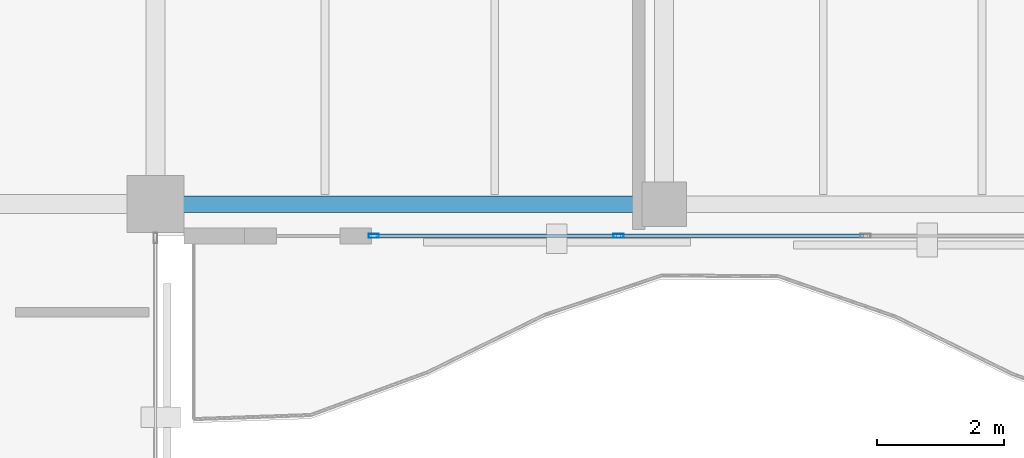
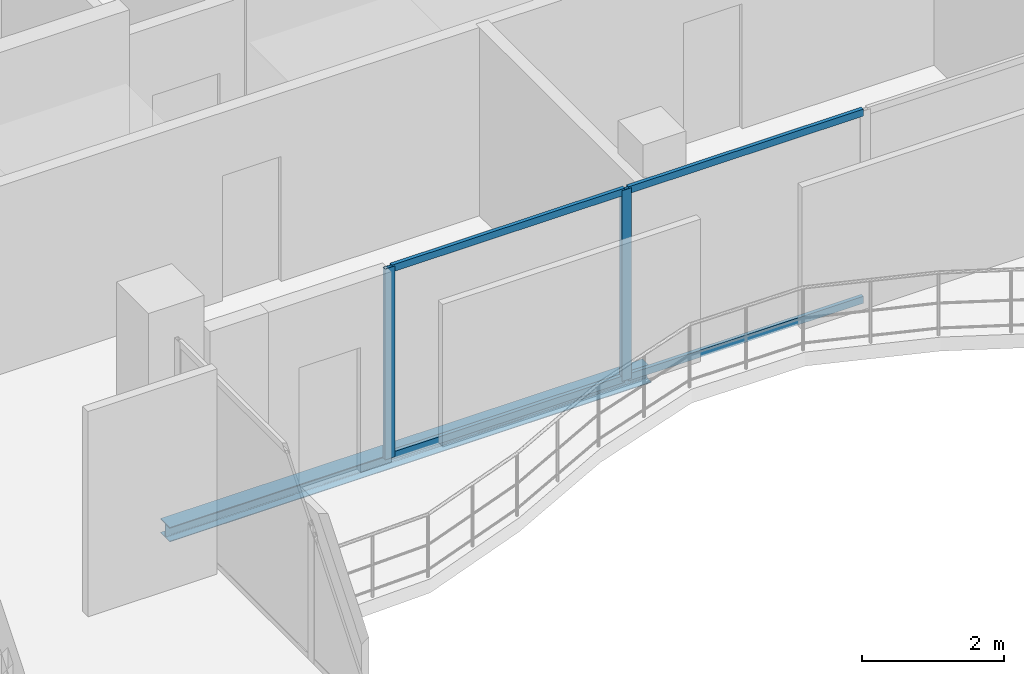
# One storey, part 5 of 17: 6 members, 1 beam, 1 element without a shape of its own.
"""IFC4 building model written with IfcOpenShell, lengths in metres."""

from ifc_helpers import new_model, si_unit, direction, frame, origin, origin_2d, place, context, subcontext, project, spatial, hollow_rectangle, i_section, extrude, material, layer, layer_set, material_profile, profile_set, type_object, element, aggregate, save


model = new_model("IFC4")

# Units and contexts
model_context = context("Model", 3, precision=1e-05, world=origin(), true_north=direction((0.0, 1.0)))
body_context = subcontext(model_context, "Body", "Model", "MODEL_VIEW")
ifc_project = project(units=[si_unit("LENGTHUNIT", "METRE"), si_unit("AREAUNIT", "SQUARE_METRE"), si_unit("VOLUMEUNIT", "CUBIC_METRE"), si_unit("PLANEANGLEUNIT", "RADIAN"), si_unit("MASSUNIT", "GRAM", prefix="KILO")], contexts=[model_context])

# Site, building, storey
site_placement = place(None, origin())
site = spatial("IfcSite", under=ifc_project, at=site_placement, CompositionType="ELEMENT")
building_placement = place(site_placement, origin())
building = spatial("IfcBuilding", under=site, at=building_placement, Name="Catumbela Crestline Tower", CompositionType="ELEMENT")
storey_placement = place(building_placement, frame((0.0, 0.0, 283.0)))
storey = spatial("IfcBuildingStorey", under=building, at=storey_placement, Name="L73", CompositionType="ELEMENT", Elevation=283.0)

# Curtain wall, members
ifc_material_1 = material(Name="Aluminium alloy AW-6060-T66", Category="aluminium")
ifc_layer = layer(ifc_material_1, 0.18, Name="Aluminium alloy AW-6060-T66")
ifc_layer_set = layer_set([ifc_layer], Name="Aluminium alloy AW-6060-T66")
curtain_wall_type = type_object("IfcCurtainWallType", Name="CWU-Z4", PredefinedType="USERDEFINED", material=ifc_layer_set)
curtain_wall_placement = place(storey_placement, origin())
curtain_wall = element("IfcCurtainWall", 1, at=curtain_wall_placement, inside=storey, type_object=curtain_wall_type, Name="L73 Unitised Curtain Wall CW-L73-E3S2", ObjectType="UNITISED", PredefinedType="USERDEFINED")
ifc_material_profile_1 = material_profile(ifc_material_1, hollow_rectangle(XDim=0.06, YDim=0.16, WallThickness=0.004, at=origin_2d()), Name="ALU 160x60x4")
ifc_profile_set_1 = profile_set([ifc_material_profile_1], Name="Aluminium alloy AW-6060-T66")
member_type_1 = type_object("IfcMemberType", Name="MUL-160X60", PredefinedType="MULLION", material=ifc_profile_set_1)
member_1_placement = place(storey_placement, frame((27.4325, 24.0, 0.0), z_axis=(0.0, 0.0, 1.0), x_axis=(0.0, 1.0, 0.0)))
member_1 = element("IfcMember", 2, at=member_1_placement, type_object=member_type_1, Name="CWU-Z4 mullion 1", PredefinedType="MULLION", context=body_context, shape_type="SweptSolid", body=[
    extrude(hollow_rectangle(XDim=0.06, YDim=0.16, WallThickness=0.004, at=origin_2d()), origin(), (0.0, 0.0, 1.0), 3.28),
])
member_2_placement = place(storey_placement, frame((31.2833, 24.0, 0.0), z_axis=(0.0, 0.0, 1.0), x_axis=(0.0, 1.0, 0.0)))
member_2 = element("IfcMember", 3, at=member_2_placement, type_object=member_type_1, Name="CWU-Z4 mullion 2", PredefinedType="MULLION", context=body_context, shape_type="SweptSolid", body=[
    extrude(hollow_rectangle(XDim=0.06, YDim=0.16, WallThickness=0.004, at=origin_2d()), origin(), (0.0, 0.0, 1.0), 3.28),
])

# Beam
ifc_material_2 = material(Name="Structural steel S355J2", Category="steel")
ifc_material_profile_2 = material_profile(ifc_material_2, i_section(OverallWidth=0.26, OverallDepth=0.25, WebThickness=0.0075, FlangeThickness=0.0125, FilletRadius=0.024, at=origin_2d()), Name="HEA 260")
ifc_profile_set_2 = profile_set([ifc_material_profile_2], Name="Structural steel S355J2")
beam_type = type_object("IfcBeamType", Name="BS-HEA260", PredefinedType="SPANDREL", material=ifc_profile_set_2)
beam_placement = place(storey_placement, frame((24.08, 24.5, -0.385), z_axis=(1.0, 0.0, 0.0), x_axis=(0.0, 1.0, 0.0)))
element("IfcBeam", 4, at=beam_placement, inside=storey, type_object=beam_type, Name="L73 Spandrel SP-L73-S02", PredefinedType="SPANDREL", context=body_context, shape_type="SweptSolid", body=[
    extrude(i_section(OverallWidth=0.26, OverallDepth=0.25, WebThickness=0.0075, FlangeThickness=0.0125, FilletRadius=0.024, at=origin_2d()), origin(), (0.0, 0.0, 1.0), 7.84),
])

# Member
ifc_material_profile_3 = material_profile(ifc_material_1, hollow_rectangle(XDim=0.06, YDim=0.12, WallThickness=0.0035, at=origin_2d()), Name="ALU 120x60x3.5")
ifc_profile_set_3 = profile_set([ifc_material_profile_3], Name="Aluminium alloy AW-6060-T66")
member_type_2 = type_object("IfcMemberType", Name="TRN-120X60", PredefinedType="USERDEFINED", material=ifc_profile_set_3)
member_3_placement = place(storey_placement, frame((27.465, 24.0, 0.03), z_axis=(1.0, 0.0, 0.0), x_axis=(0.0, 1.0, 0.0)))
member_3 = element("IfcMember", 5, at=member_3_placement, type_object=member_type_2, Name="CWU-Z4 transom 1.1", ObjectType="TRANSOM", PredefinedType="USERDEFINED", context=body_context, shape_type="SweptSolid", body=[
    extrude(hollow_rectangle(XDim=0.06, YDim=0.12, WallThickness=0.0035, at=origin_2d()), origin(), (0.0, 0.0, 1.0), 3.7858),
])

member_4_placement = place(storey_placement, frame((27.465, 24.0, 3.25), z_axis=(1.0, 0.0, 0.0), x_axis=(0.0, 1.0, 0.0)))
member_4 = element("IfcMember", 6, at=member_4_placement, type_object=member_type_2, Name="CWU-Z4 transom 1.2", ObjectType="TRANSOM", PredefinedType="USERDEFINED", context=body_context, shape_type="SweptSolid", body=[
    extrude(hollow_rectangle(XDim=0.06, YDim=0.12, WallThickness=0.0035, at=origin_2d()), origin(), (0.0, 0.0, 1.0), 3.7858),
])

member_5_placement = place(storey_placement, frame((31.3158, 24.0, 0.03), z_axis=(1.0, 0.0, 0.0), x_axis=(0.0, 1.0, 0.0)))
member_5 = element("IfcMember", 7, at=member_5_placement, type_object=member_type_2, Name="CWU-Z4 transom 2.1", ObjectType="TRANSOM", PredefinedType="USERDEFINED", context=body_context, shape_type="SweptSolid", body=[
    extrude(hollow_rectangle(XDim=0.06, YDim=0.12, WallThickness=0.0035, at=origin_2d()), origin(), (0.0, 0.0, 1.0), 3.8184),
])

member_6_placement = place(storey_placement, frame((31.3158, 24.0, 3.25), z_axis=(1.0, 0.0, 0.0), x_axis=(0.0, 1.0, 0.0)))
member_6 = element("IfcMember", 8, at=member_6_placement, type_object=member_type_2, Name="CWU-Z4 transom 2.2", ObjectType="TRANSOM", PredefinedType="USERDEFINED", context=body_context, shape_type="SweptSolid", body=[
    extrude(hollow_rectangle(XDim=0.06, YDim=0.12, WallThickness=0.0035, at=origin_2d()), origin(), (0.0, 0.0, 1.0), 3.8184),
])

aggregate(curtain_wall, [member_1, member_2, member_3, member_4, member_5, member_6])

save(model, "model.ifc")
